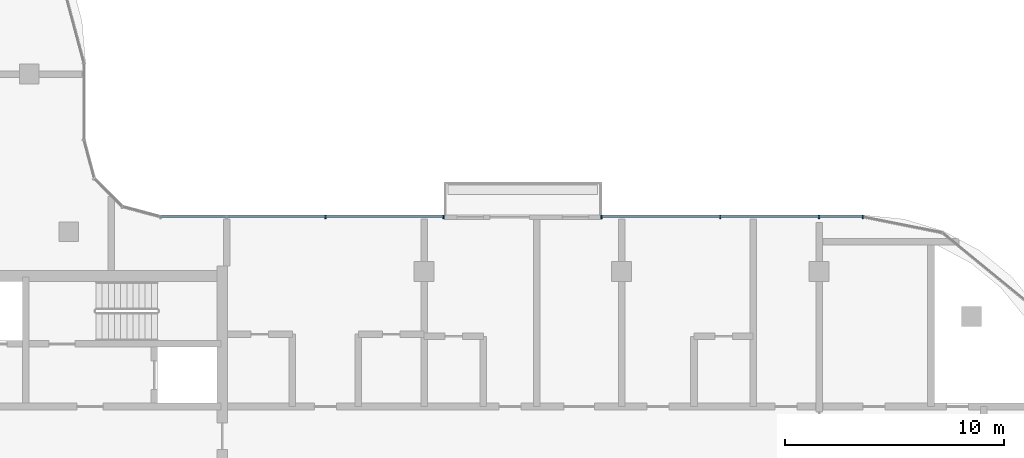
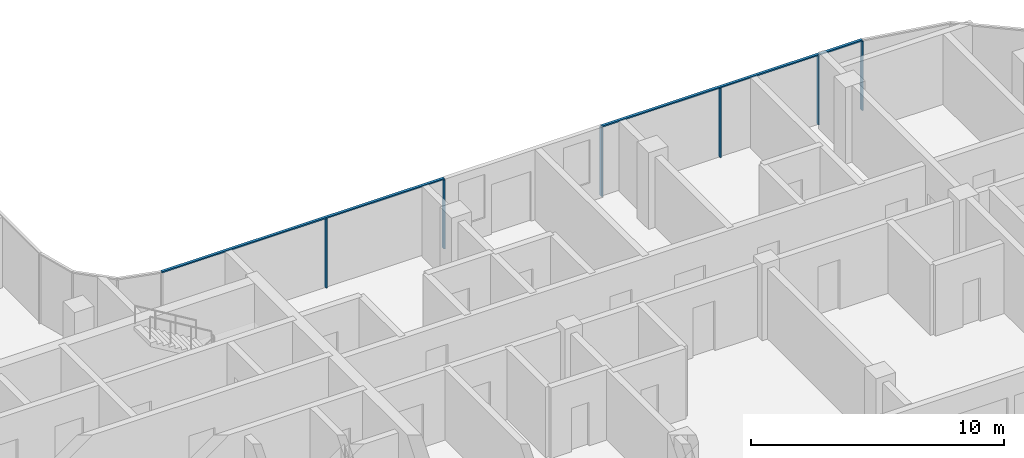
# One storey, part 4 of 18: 8 members, 2 elements without a shape of their own.
"""IFC4 building model written with IfcOpenShell, lengths in metres."""

from ifc_helpers import new_model, si_unit, direction, frame, origin, origin_2d, place, context, subcontext, project, spatial, rectangle, extrude, material, material_profile, profile_set, type_object, element, aggregate, save


model = new_model("IFC4")

# Units and contexts
model_context = context("Model", 3, precision=1e-05, world=origin(), true_north=direction((0.0, 1.0)))
body_context = subcontext(model_context, "Body", "Model", "MODEL_VIEW")
ifc_project = project(units=[si_unit("LENGTHUNIT", "METRE"), si_unit("AREAUNIT", "SQUARE_METRE"), si_unit("VOLUMEUNIT", "CUBIC_METRE"), si_unit("PLANEANGLEUNIT", "RADIAN"), si_unit("MASSUNIT", "GRAM", prefix="KILO")], contexts=[model_context])

# Site, building, storey
site_placement = place(None, origin())
site = spatial("IfcSite", under=ifc_project, at=site_placement, CompositionType="ELEMENT")
building_placement = place(site_placement, origin())
building = spatial("IfcBuilding", under=site, at=building_placement, Name="Ogive Portal Towers", CompositionType="ELEMENT")
storey_placement = place(building_placement, frame((0.0, 0.0, 236.5)))
storey = spatial("IfcBuildingStorey", under=building, at=storey_placement, Name="L59", CompositionType="ELEMENT", Elevation=236.5)

# Curtain wall, members
ifc_material_1 = material(Name="Glass, clear low-iron insulated glazing", Category="glass")
curtain_wall_type = type_object("IfcCurtainWallType", Name="CW FRONT RIBBON 4500", PredefinedType="NOTDEFINED", material=ifc_material_1)
curtain_wall_1_placement = place(storey_placement, origin())
curtain_wall_1 = element("IfcCurtainWall", 1, at=curtain_wall_1_placement, inside=storey, type_object=curtain_wall_type, Name="A:L59:f16:cw0", PredefinedType="NOTDEFINED")
ifc_material_2 = material(Name="Aluminium 6063 anodised", Category="aluminium")
ifc_material_profile_1 = material_profile(ifc_material_2, rectangle(XDim=0.159912109375, YDim=0.06005859375, at=origin_2d()), Name="AL 60x160")
ifc_profile_set_1 = profile_set([ifc_material_profile_1], Name="Aluminium 6063 anodised")
member_type_1 = type_object("IfcMemberType", Name="CW MULLION 60x160", PredefinedType="MULLION", material=ifc_profile_set_1)
member_1_placement = place(storey_placement, frame((87.4921875, 41.9951171875, 0.0), z_axis=(0.0, 0.0, 1.0), x_axis=(0.0, -1.0, 0.0)))
member_1 = element("IfcMember", 2, at=member_1_placement, type_object=member_type_1, Name="mullion", PredefinedType="MULLION", context=body_context, shape_type="SweptSolid", body=[
    extrude(rectangle(XDim=0.159912109375, YDim=0.06005859375, at=origin_2d()), origin(), (0.0, 0.0, 1.0), 3.340087890625),
])
member_2_placement = place(storey_placement, frame((85.5, 41.9951171875, 0.0), z_axis=(0.0, 0.0, 1.0), x_axis=(0.0, -1.0, 0.0)))
member_2 = element("IfcMember", 3, at=member_2_placement, type_object=member_type_1, Name="mullion", PredefinedType="MULLION", context=body_context, shape_type="SweptSolid", body=[
    extrude(rectangle(XDim=0.159912109375, YDim=0.06005859375, at=origin_2d()), origin(), (0.0, 0.0, 1.0), 3.340087890625),
])
member_3_placement = place(storey_placement, frame((81.0, 41.9951171875, 0.0), z_axis=(0.0, 0.0, 1.0), x_axis=(0.0, -1.0, 0.0)))
member_3 = element("IfcMember", 4, at=member_3_placement, type_object=member_type_1, Name="mullion", PredefinedType="MULLION", context=body_context, shape_type="SweptSolid", body=[
    extrude(rectangle(XDim=0.159912109375, YDim=0.06005859375, at=origin_2d()), origin(), (0.0, 0.0, 1.0), 3.340087890625),
])
member_4_placement = place(storey_placement, frame((75.591064453125, 41.9951171875, 0.0), z_axis=(0.0, 0.0, 1.0), x_axis=(0.0, -1.0, 0.0)))
member_4 = element("IfcMember", 5, at=member_4_placement, type_object=member_type_1, Name="mullion", PredefinedType="MULLION", context=body_context, shape_type="SweptSolid", body=[
    extrude(rectangle(XDim=0.159912109375, YDim=0.06005859375, at=origin_2d()), origin(), (0.0, 0.0, 1.0), 3.340087890625),
])

curtain_wall_2_placement = place(storey_placement, origin())
curtain_wall_2 = element("IfcCurtainWall", 6, at=curtain_wall_2_placement, inside=storey, type_object=curtain_wall_type, Name="A:L59:f16:cw1", PredefinedType="NOTDEFINED")
member_5_placement = place(storey_placement, frame((68.390625, 41.9951171875, 0.0), z_axis=(0.0, 0.0, 1.0), x_axis=(0.0, -1.0, 0.0)))
member_5 = element("IfcMember", 7, at=member_5_placement, type_object=member_type_1, Name="mullion", PredefinedType="MULLION", context=body_context, shape_type="SweptSolid", body=[
    extrude(rectangle(XDim=0.159912109375, YDim=0.06005859375, at=origin_2d()), origin(), (0.0, 0.0, 1.0), 3.340087890625),
])
member_6_placement = place(storey_placement, frame((63.0, 41.9951171875, 0.0), z_axis=(0.0, 0.0, 1.0), x_axis=(0.0, -1.0, 0.0)))
member_6 = element("IfcMember", 8, at=member_6_placement, type_object=member_type_1, Name="mullion", PredefinedType="MULLION", context=body_context, shape_type="SweptSolid", body=[
    extrude(rectangle(XDim=0.159912109375, YDim=0.06005859375, at=origin_2d()), origin(), (0.0, 0.0, 1.0), 3.340087890625),
])

# Member
ifc_material_profile_2 = material_profile(ifc_material_2, rectangle(XDim=0.1201171875, YDim=0.06005859375, at=origin_2d()), Name="AL 120x60")
ifc_profile_set_2 = profile_set([ifc_material_profile_2], Name="Aluminium 6063 anodised")
member_type_2 = type_object("IfcMemberType", Name="CW TRANSOM 60x120", PredefinedType="USERDEFINED", material=ifc_profile_set_2)
member_7_placement = place(storey_placement, frame((87.4921875, 41.9951171875, 3.3701171875), z_axis=(-1.0, 0.0, 0.0), x_axis=(0.0, -1.0, 0.0)))
member_7 = element("IfcMember", 9, at=member_7_placement, type_object=member_type_2, Name="transom", ObjectType="TRANSOM", PredefinedType="USERDEFINED", context=body_context, shape_type="SweptSolid", body=[
    extrude(rectangle(XDim=0.1201171875, YDim=0.06005859375, at=origin_2d()), origin(), (0.0, 0.0, 1.0), 11.901123046875),
])

aggregate(curtain_wall_1, [member_7, member_1, member_2, member_3, member_4])

member_8_placement = place(storey_placement, frame((68.390625, 41.9951171875, 3.3701171875), z_axis=(-1.0, 0.0, 0.0), x_axis=(0.0, -1.0, 0.0)))
member_8 = element("IfcMember", 10, at=member_8_placement, type_object=member_type_2, Name="transom", ObjectType="TRANSOM", PredefinedType="USERDEFINED", context=body_context, shape_type="SweptSolid", body=[
    extrude(rectangle(XDim=0.1201171875, YDim=0.06005859375, at=origin_2d()), origin(), (0.0, 0.0, 1.0), 12.901123046875),
])

aggregate(curtain_wall_2, [member_8, member_5, member_6])

save(model, "model.ifc")
